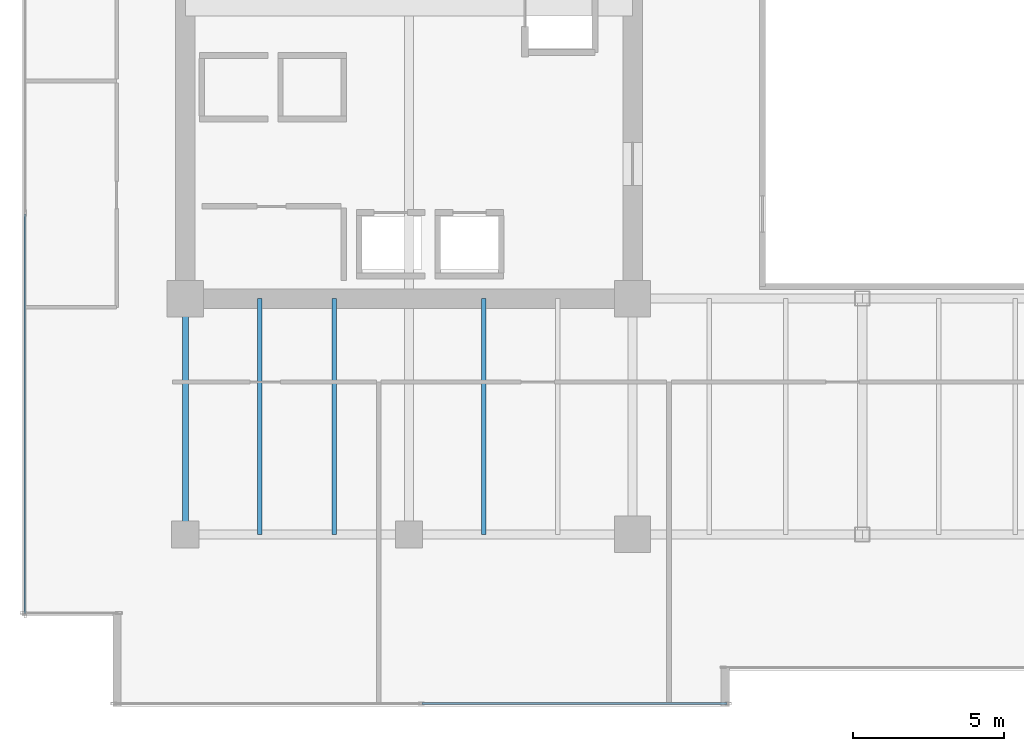
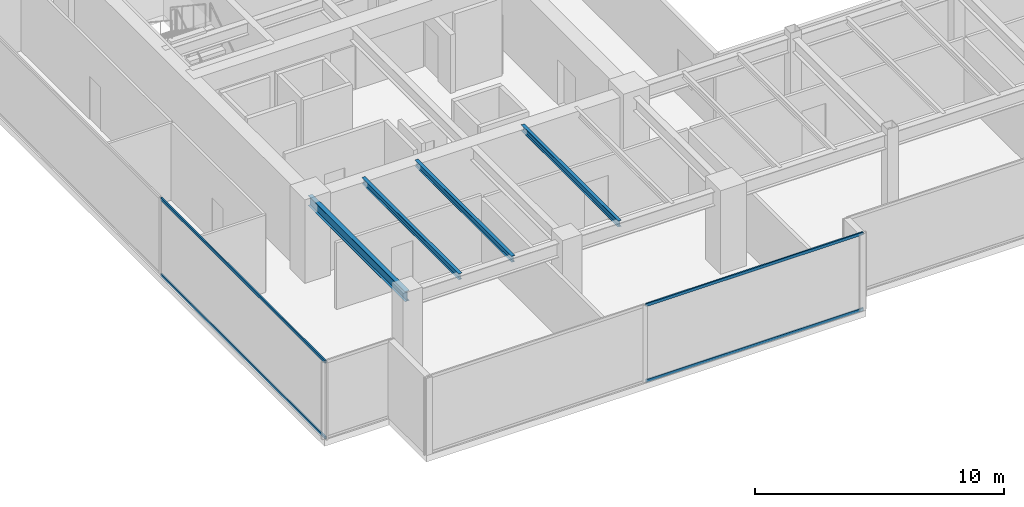
# One storey, part 3 of 30: 4 beams, 4 members, 2 elements without a shape of their own.
"""IFC4 building model written with IfcOpenShell, lengths in metres."""

from ifc_helpers import new_model, si_unit, direction, frame, origin, origin_2d, place, context, subcontext, project, spatial, hollow_rectangle, i_section, extrude, source, transform, mapped, material, layer, layer_set, material_profile, profile_set, type_object, type_shapes, element, aggregate, save


model = new_model("IFC4")

# Units and contexts
model_context = context("Model", 3, precision=1e-05, world=origin(), true_north=direction((0.0, 1.0)))
body_context = subcontext(model_context, "Body", "Model", "MODEL_VIEW")
ifc_project = project(units=[si_unit("LENGTHUNIT", "METRE"), si_unit("AREAUNIT", "SQUARE_METRE"), si_unit("VOLUMEUNIT", "CUBIC_METRE"), si_unit("PLANEANGLEUNIT", "RADIAN"), si_unit("MASSUNIT", "GRAM", prefix="KILO")], contexts=[model_context])

# Site, building, storey
site_placement = place(None, origin())
site = spatial("IfcSite", under=ifc_project, at=site_placement, CompositionType="ELEMENT")
building_placement = place(site_placement, origin())
building = spatial("IfcBuilding", under=site, at=building_placement, Name="Haelvirn Gate Laboratories", CompositionType="ELEMENT")
storey_placement = place(building_placement, frame((0.0, 0.0, 129.699951171875)))
storey = spatial("IfcBuildingStorey", under=building, at=storey_placement, Name="L31", CompositionType="ELEMENT", Elevation=129.699951171875)

# Beams
ifc_material_1 = material(Name="Steel SM355", Category="steel")
ifc_material_profile_1 = material_profile(ifc_material_1, i_section(OverallWidth=0.199951171875, OverallDepth=0.5, WebThickness=0.010009765625, FlangeThickness=0.01611328125, at=origin_2d()), Name="H-500x200x10x16")
ifc_profile_set_1 = profile_set([ifc_material_profile_1], Name="Steel SM355")
beam_type_1 = type_object("IfcBeamType", Name="BM-SP-500", PredefinedType="SPANDREL", material=ifc_profile_set_1)
shared_shape_1 = source(origin(), body_context, "Body", "SweptSolid", [
    extrude(i_section(OverallWidth=0.199951171875, OverallDepth=0.5, WebThickness=0.010009765625, FlangeThickness=0.01611328125, at=origin_2d()), origin(), (0.0, 0.0, 1.0), 7.800048828125),
])
type_shapes(beam_type_1, [shared_shape_1])
beam_placement = place(storey_placement, frame((7.39990234375, 7.0, 3.5400390625), z_axis=(0.0, 1.0, 0.0), x_axis=(-1.0, 0.0, 0.0)))
element("IfcBeam", 1, at=beam_placement, inside=storey, type_object=beam_type_1, Name="L31 Perimeter Spandrel X7.4 (7.0-14.8)", PredefinedType="SPANDREL", context=body_context, shape_type="MappedRepresentation", body=[
    mapped(shared_shape_1, transform((0.0, 0.0, 0.0), scale=1.0)),
])
ifc_material_profile_2 = material_profile(ifc_material_1, i_section(OverallWidth=0.14990234375, OverallDepth=0.300048828125, WebThickness=0.006591796875, FlangeThickness=0.009033203125, at=origin_2d()), Name="H-300x150x6.5x9")
ifc_profile_set_2 = profile_set([ifc_material_profile_2], Name="Steel SM355")
beam_type_2 = type_object("IfcBeamType", Name="BM-J-300", PredefinedType="JOIST", material=ifc_profile_set_2)
shared_shape_2 = source(origin(), body_context, "Body", "SweptSolid", [
    extrude(i_section(OverallWidth=0.14990234375, OverallDepth=0.300048828125, WebThickness=0.006591796875, FlangeThickness=0.009033203125, at=origin_2d()), origin(), (0.0, 0.0, 1.0), 7.800048828125),
])
type_shapes(beam_type_2, [shared_shape_2])
for number, where, z_axis, x_axis, name in (
    (2, (9.8701171875, 7.0, 3.64013671875), (0.0, 1.0, 0.0), (-1.0, 0.0, 0.0), "L31 Composite Lab Joist South X9.87"),
    (3, (12.330078125, 7.0, 3.64013671875), (0.0, 1.0, 0.0), (-1.0, 0.0, 0.0), "L31 Composite Lab Joist South X12.33"),
    (4, (17.27001953125, 7.0, 3.64013671875), (0.0, 1.0, 0.0), (-1.0, 0.0, 0.0), "L31 Composite Lab Joist South X17.27"),
):
    element("IfcBeam", number, at=place(storey_placement, frame(where, z_axis=z_axis, x_axis=x_axis)), inside=storey, type_object=beam_type_2, Name=name, PredefinedType="JOIST", context=body_context, shape_type="MappedRepresentation", body=[
        mapped(shared_shape_2, transform((0.0, 0.0, 0.0), scale=1.0)),
    ])

# Curtain wall, members
ifc_material_2 = material(Name="Anodised bronze unitised aluminium & triple low-E glass", Category="aluminium")
ifc_layer = layer(ifc_material_2, 0.179931640625, Name="CW-SYS-3")
ifc_layer_set = layer_set([ifc_layer], Name="Anodised bronze unitised aluminium & triple low-E glass")
curtain_wall_type = type_object("IfcCurtainWallType", Name="CW-SYS-3", PredefinedType="NOTDEFINED", material=ifc_layer_set)
curtain_wall_1_placement = place(storey_placement, origin())
curtain_wall_1 = element("IfcCurtainWall", 5, at=curtain_wall_1_placement, inside=storey, type_object=curtain_wall_type, Name="L31 Unitised Curtain Wall CW-L31-P0-E00-1", PredefinedType="NOTDEFINED")
ifc_material_3 = material(Name="Extruded aluminium 6063-T6 (anodised bronze)", Category="aluminium")
ifc_material_profile_3 = material_profile(ifc_material_3, hollow_rectangle(XDim=0.06494140625, YDim=0.139892578125, WallThickness=0.00390625, at=origin_2d()), Name="CWT-140x65x4")
ifc_profile_set_3 = profile_set([ifc_material_profile_3], Name="Extruded aluminium 6063-T6 (anodised bronze)")
member_type = type_object("IfcMemberType", Name="CWT-T140", PredefinedType="USERDEFINED", material=ifc_profile_set_3)
shared_shape_3 = source(origin(), body_context, "Body", "SweptSolid", [
    extrude(hollow_rectangle(XDim=0.06494140625, YDim=0.139892578125, WallThickness=0.00390625, at=origin_2d()), origin(), (0.0, 0.0, 1.0), 10.08740234375),
])
member_1_placement = place(storey_placement, frame((15.237548828125, 1.39990234375, 0.032470703125), z_axis=(1.0, 0.0, 0.0), x_axis=(0.0, 1.0, 0.0)))
member_1 = element("IfcMember", 6, at=member_1_placement, type_object=member_type, Name="CW3 transom 2.1", ObjectType="TRANSOM", PredefinedType="USERDEFINED", context=body_context, shape_type="MappedRepresentation", body=[
    mapped(shared_shape_3, transform((0.0, 0.0, 0.0), scale=1.0)),
])
member_2_placement = place(storey_placement, frame((15.237548828125, 1.39990234375, 3.757568359375), z_axis=(1.0, 0.0, 0.0), x_axis=(0.0, 1.0, 0.0)))
member_2 = element("IfcMember", 7, at=member_2_placement, type_object=member_type, Name="CW3 transom 2.2", ObjectType="TRANSOM", PredefinedType="USERDEFINED", context=body_context, shape_type="MappedRepresentation", body=[
    mapped(shared_shape_3, transform((0.0, 0.0, 0.0), scale=1.0)),
])
aggregate(curtain_wall_1, [member_1, member_2])

curtain_wall_2_placement = place(storey_placement, origin())
curtain_wall_2 = element("IfcCurtainWall", 8, at=curtain_wall_2_placement, inside=storey, type_object=curtain_wall_type, Name="L31 Unitised Curtain Wall CW-L31-P0-E17", PredefinedType="NOTDEFINED")
shared_shape_4 = source(origin(), body_context, "Body", "SweptSolid", [
    extrude(hollow_rectangle(XDim=0.06494140625, YDim=0.139892578125, WallThickness=0.00390625, at=origin_2d()), origin(), (0.0, 0.0, 1.0), 13.220947265625),
])
type_shapes(member_type, [shared_shape_3, shared_shape_4])
member_3_placement = place(storey_placement, frame((2.10009765625, 17.595947265625, 0.032470703125), z_axis=(0.0, -1.0, 0.0), x_axis=(1.0, 0.0, 0.0)))
member_3 = element("IfcMember", 9, at=member_3_placement, type_object=member_type, Name="CW3 transom 3.1", ObjectType="TRANSOM", PredefinedType="USERDEFINED", context=body_context, shape_type="MappedRepresentation", body=[
    mapped(shared_shape_4, transform((0.0, 0.0, 0.0), scale=1.0)),
])
member_4_placement = place(storey_placement, frame((2.10009765625, 17.595947265625, 3.757568359375), z_axis=(0.0, -1.0, 0.0), x_axis=(1.0, 0.0, 0.0)))
member_4 = element("IfcMember", 10, at=member_4_placement, type_object=member_type, Name="CW3 transom 3.2", ObjectType="TRANSOM", PredefinedType="USERDEFINED", context=body_context, shape_type="MappedRepresentation", body=[
    mapped(shared_shape_4, transform((0.0, 0.0, 0.0), scale=1.0)),
])
aggregate(curtain_wall_2, [member_3, member_4])

save(model, "model.ifc")
